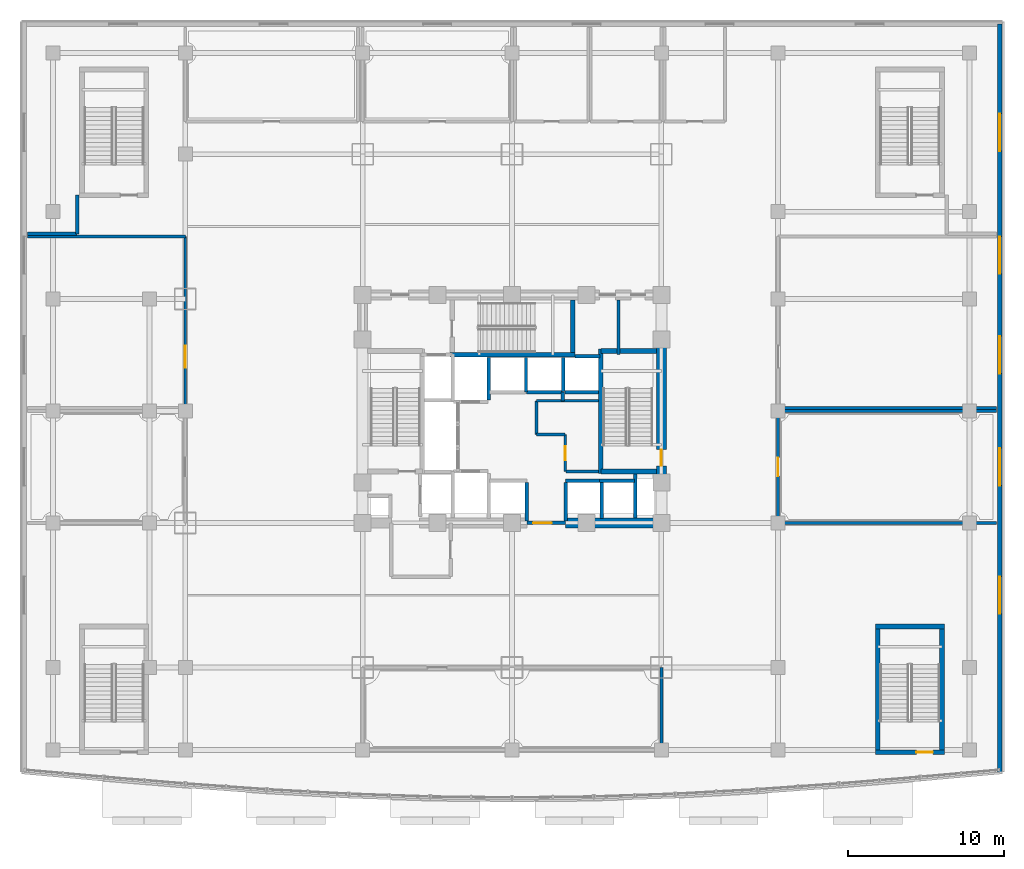
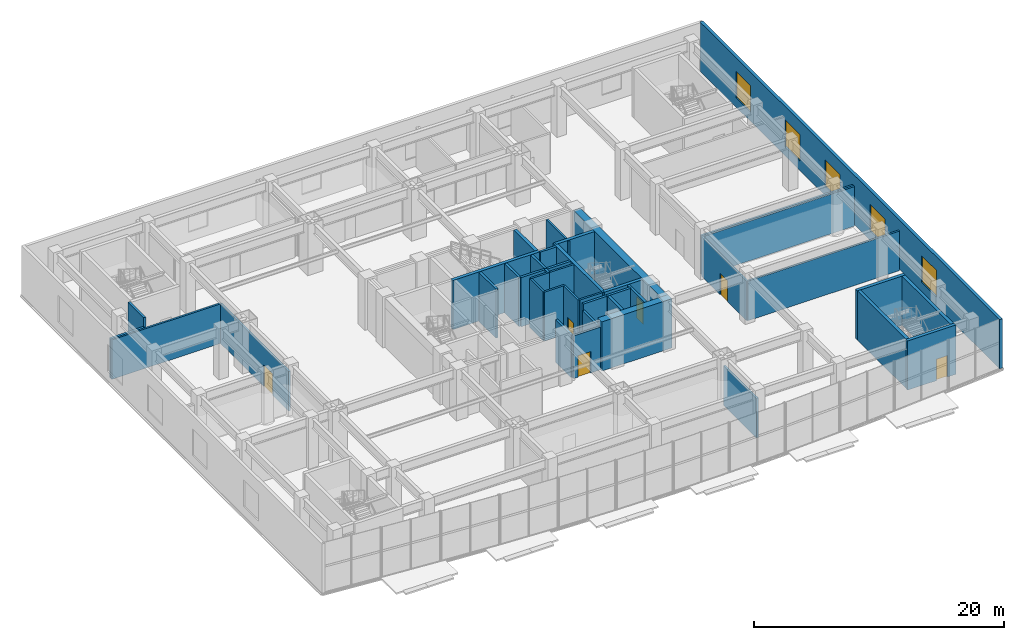
# One storey, part 13 of 24: 42 walls, 6 doors, 5 windows, 11 openings.
"""IFC4 building model written with IfcOpenShell, lengths in metres."""

from ifc_helpers import new_model, si_unit, direction, frame, frame_2d, origin, place, context, subcontext, project, spatial, rectangle, extrude, material, layer, layer_set, type_object, element, fill, save


model = new_model("IFC4")

# Units and contexts
model_context = context("Model", 3, precision=1e-05, world=origin(), true_north=direction((0.0, 1.0)))
body_context = subcontext(model_context, "Body", "Model", "MODEL_VIEW")
ifc_project = project(units=[si_unit("LENGTHUNIT", "METRE"), si_unit("AREAUNIT", "SQUARE_METRE"), si_unit("VOLUMEUNIT", "CUBIC_METRE"), si_unit("PLANEANGLEUNIT", "RADIAN"), si_unit("MASSUNIT", "GRAM", prefix="KILO")], contexts=[model_context])

# Site, building, storey
site_placement = place(None, origin())
site = spatial("IfcSite", under=ifc_project, at=site_placement, CompositionType="ELEMENT")
building_placement = place(site_placement, origin())
building = spatial("IfcBuilding", under=site, at=building_placement, Name="Vantalir Tower", CompositionType="ELEMENT")
storey_placement = place(building_placement, frame((0.0, 0.0, 6.0)))
storey = spatial("IfcBuildingStorey", under=building, at=storey_placement, Name="L01", CompositionType="ELEMENT", Elevation=6.0)

# Wall
ifc_material_1 = material(Name="Concrete C60/75", Category="concrete")
ifc_layer_1 = layer(ifc_material_1, 0.64990234375)
ifc_layer_set_1 = layer_set([ifc_layer_1], Name="Concrete C60/75")
wall_type_1 = type_object("IfcWallType", Name="WL-CORE-650", PredefinedType="SHEAR", material=ifc_layer_set_1)
wall_1_placement = place(storey_placement, frame((34.949951171875, 17.800048828125, 0.0), z_axis=(0.0, 0.0, 1.0), x_axis=(1.0, 0.0, 0.0)))
element("IfcWall", 1, at=wall_1_placement, inside=storey, type_object=wall_type_1, Name="Floor 1 Core Shear Wall South-East", PredefinedType="SHEAR", context=body_context, shape_type="SweptSolid", body=[
    extrude(rectangle(XDim=6.47509765625, YDim=0.64990234375, at=frame_2d((3.237548828125, 0.0))), origin(), (0.0, 0.0, 1.0), 4.820068359375),
])

# Wall, opening, door
wall_2_placement = place(storey_placement, frame((41.10009765625, 18.125, 0.0), z_axis=(0.0, 0.0, 1.0), x_axis=(0.0, 1.0, 0.0)))
wall_2 = element("IfcWall", 2, at=wall_2_placement, inside=storey, type_object=wall_type_1, Name="Floor 1 Core Shear Wall East", PredefinedType="SHEAR", context=body_context, shape_type="SweptSolid", body=[
    extrude(rectangle(XDim=14.0, YDim=0.64990234375, at=frame_2d((7.0, 0.0))), origin(), (0.0, 0.0, 1.0), 4.820068359375),
])
opening_1_placement = place(wall_2_placement, frame((3.3349609375, 0.0, 0.0)))
opening_1 = element("IfcOpeningElement", 3, at=opening_1_placement, cuts=wall_2, Name="Opening D-ST", PredefinedType="OPENING", context=body_context, shape_type="SweptSolid", body=[
    extrude(rectangle(XDim=1.050048828125, YDim=2.10009765625, at=frame_2d((0.52490234375, 1.050048828125))), frame((0.0, 0.3349609375, 0.0), z_axis=(0.0, -1.0, 0.0), x_axis=(1.0, 0.0, 0.0)), (0.0, 0.0, 1.0), 0.669921875),
])
ifc_material_2 = material(Name="Fire-rated steel door leaf", Category="steel")
door_type_1 = type_object("IfcDoorType", Name="DR-FIRE-STAIR-1050", OperationType="NOTDEFINED", PredefinedType="DOOR", material=ifc_material_2)
door_1_placement = place(opening_1_placement, origin())
door_1 = element("IfcDoor", 4, at=door_1_placement, inside=storey, type_object=door_type_1, Name="Floor 1 Exit Stair ST2 Fire Door", OperationType="SINGLE_SWING_LEFT", OverallHeight=2.10009765625, OverallWidth=1.050048828125, PredefinedType="DOOR", context=body_context, shape_type="SweptSolid", body=[
    extrude(rectangle(XDim=1.050048828125, YDim=2.10009765625, at=frame_2d((0.52490234375, 1.050048828125))), frame((0.0, 0.02490234375, 0.0), z_axis=(0.0, -1.0, 0.0), x_axis=(1.0, 0.0, 0.0)), (0.0, 0.0, 1.0), 0.050048828125),
])
fill(opening_1, door_1)

# Wall, openings, windows
ifc_material_3 = material(Name="Precast concrete C40/50 with insulated PVDF rainscreen", Category="concrete")
ifc_layer_2 = layer(ifc_material_3, 0.280029296875)
ifc_layer_set_2 = layer_set([ifc_layer_2], Name="Precast concrete C40/50 with insulated PVDF rainscreen")
wall_type_2 = type_object("IfcWallType", Name="WL-EXT-POD-280", PredefinedType="SOLIDWALL", material=ifc_layer_set_2)
wall_3_placement = place(storey_placement, frame((62.860107421875, 1.800048828125, 0.0), z_axis=(0.0, 0.0, 1.0), x_axis=(0.0, 1.0, 0.0)))
wall_3 = element("IfcWall", 5, at=wall_3_placement, inside=storey, type_object=wall_type_2, Name="Level 01 Podium East Precast Facade Wall", PredefinedType="SOLIDWALL", context=body_context, shape_type="SweptSolid", body=[
    extrude(rectangle(XDim=48.06005859375, YDim=0.280029296875, at=frame_2d((24.030029296875, 0.0))), origin(), (0.0, 0.0, 1.0), 4.820068359375),
])
opening_2_placement = place(wall_3_placement, frame((10.14990234375, 0.0, 0.89990234375)))
opening_2 = element("IfcOpeningElement", 6, at=opening_2_placement, cuts=wall_3, Name="Opening WN-1", PredefinedType="OPENING", context=body_context, shape_type="SweptSolid", body=[
    extrude(rectangle(XDim=2.39990234375, YDim=2.60009765625, at=frame_2d((1.199951171875, 1.300048828125))), frame((0.0, 0.14990234375, 0.0), z_axis=(0.0, -1.0, 0.0), x_axis=(1.0, 0.0, 0.0)), (0.0, 0.0, 1.0), 0.300048828125),
])
opening_3_placement = place(wall_3_placement, frame((18.39990234375, 0.0, 0.89990234375)))
opening_3 = element("IfcOpeningElement", 7, at=opening_3_placement, cuts=wall_3, Name="Opening WN-1", PredefinedType="OPENING", context=body_context, shape_type="SweptSolid", body=[
    extrude(rectangle(XDim=2.39990234375, YDim=2.60009765625, at=frame_2d((1.199951171875, 1.300048828125))), frame((0.0, 0.14990234375, 0.0), z_axis=(0.0, -1.0, 0.0), x_axis=(1.0, 0.0, 0.0)), (0.0, 0.0, 1.0), 0.300048828125),
])
opening_4_placement = place(wall_3_placement, frame((25.60009765625, 0.0, 0.89990234375)))
opening_4 = element("IfcOpeningElement", 8, at=opening_4_placement, cuts=wall_3, Name="Opening WN-1", PredefinedType="OPENING", context=body_context, shape_type="SweptSolid", body=[
    extrude(rectangle(XDim=2.39990234375, YDim=2.60009765625, at=frame_2d((1.199951171875, 1.300048828125))), frame((0.0, 0.14990234375, 0.0), z_axis=(0.0, -1.0, 0.0), x_axis=(1.0, 0.0, 0.0)), (0.0, 0.0, 1.0), 0.300048828125),
])
opening_5_placement = place(wall_3_placement, frame((32.0, 0.0, 0.89990234375)))
opening_5 = element("IfcOpeningElement", 9, at=opening_5_placement, cuts=wall_3, Name="Opening WN-1", PredefinedType="OPENING", context=body_context, shape_type="SweptSolid", body=[
    extrude(rectangle(XDim=2.39990234375, YDim=2.60009765625, at=frame_2d((1.199951171875, 1.300048828125))), frame((0.0, 0.14990234375, 0.0), z_axis=(0.0, -1.0, 0.0), x_axis=(1.0, 0.0, 0.0)), (0.0, 0.0, 1.0), 0.300048828125),
])
opening_6_placement = place(wall_3_placement, frame((39.89990234375, 0.0, 0.89990234375)))
opening_6 = element("IfcOpeningElement", 10, at=opening_6_placement, cuts=wall_3, Name="Opening WN-1", PredefinedType="OPENING", context=body_context, shape_type="SweptSolid", body=[
    extrude(rectangle(XDim=2.39990234375, YDim=2.60009765625, at=frame_2d((1.199951171875, 1.300048828125))), frame((0.0, 0.14990234375, 0.0), z_axis=(0.0, -1.0, 0.0), x_axis=(1.0, 0.0, 0.0)), (0.0, 0.0, 1.0), 0.300048828125),
])
ifc_material_4 = material(Name="Double-silver Low-E thermally broken window", Category="glass")
window_type = type_object("IfcWindowType", Name="WIN-POD-2400x2600", PartitioningType="SINGLE_PANEL", PredefinedType="WINDOW", material=ifc_material_4)
window_1_placement = place(opening_2_placement, origin())
window_1 = element("IfcWindow", 11, at=window_1_placement, inside=storey, type_object=window_type, Name="Level 01 East Podium Window E01", OverallHeight=2.60009765625, OverallWidth=2.39990234375, PartitioningType="SINGLE_PANEL", PredefinedType="WINDOW", context=body_context, shape_type="SweptSolid", body=[
    extrude(rectangle(XDim=2.39990234375, YDim=2.60009765625, at=frame_2d((1.199951171875, 1.300048828125))), frame((0.0, 0.030029296875, 0.0), z_axis=(0.0, -1.0, 0.0), x_axis=(1.0, 0.0, 0.0)), (0.0, 0.0, 1.0), 0.06005859375),
])
fill(opening_2, window_1)
window_2_placement = place(opening_3_placement, origin())
window_2 = element("IfcWindow", 12, at=window_2_placement, inside=storey, type_object=window_type, Name="Level 01 East Podium Window E02", OverallHeight=2.60009765625, OverallWidth=2.39990234375, PartitioningType="SINGLE_PANEL", PredefinedType="WINDOW", context=body_context, shape_type="SweptSolid", body=[
    extrude(rectangle(XDim=2.39990234375, YDim=2.60009765625, at=frame_2d((1.199951171875, 1.300048828125))), frame((0.0, 0.030029296875, 0.0), z_axis=(0.0, -1.0, 0.0), x_axis=(1.0, 0.0, 0.0)), (0.0, 0.0, 1.0), 0.06005859375),
])
fill(opening_3, window_2)
window_3_placement = place(opening_4_placement, origin())
window_3 = element("IfcWindow", 13, at=window_3_placement, inside=storey, type_object=window_type, Name="Level 01 East Podium Window E03", OverallHeight=2.60009765625, OverallWidth=2.39990234375, PartitioningType="SINGLE_PANEL", PredefinedType="WINDOW", context=body_context, shape_type="SweptSolid", body=[
    extrude(rectangle(XDim=2.39990234375, YDim=2.60009765625, at=frame_2d((1.199951171875, 1.300048828125))), frame((0.0, 0.030029296875, 0.0), z_axis=(0.0, -1.0, 0.0), x_axis=(1.0, 0.0, 0.0)), (0.0, 0.0, 1.0), 0.06005859375),
])
fill(opening_4, window_3)
window_4_placement = place(opening_5_placement, origin())
window_4 = element("IfcWindow", 14, at=window_4_placement, inside=storey, type_object=window_type, Name="Level 01 East Podium Window E04", OverallHeight=2.60009765625, OverallWidth=2.39990234375, PartitioningType="SINGLE_PANEL", PredefinedType="WINDOW", context=body_context, shape_type="SweptSolid", body=[
    extrude(rectangle(XDim=2.39990234375, YDim=2.60009765625, at=frame_2d((1.199951171875, 1.300048828125))), frame((0.0, 0.030029296875, 0.0), z_axis=(0.0, -1.0, 0.0), x_axis=(1.0, 0.0, 0.0)), (0.0, 0.0, 1.0), 0.06005859375),
])
fill(opening_5, window_4)
window_5_placement = place(opening_6_placement, origin())
window_5 = element("IfcWindow", 15, at=window_5_placement, inside=storey, type_object=window_type, Name="Level 01 East Podium Window E05", OverallHeight=2.60009765625, OverallWidth=2.39990234375, PartitioningType="SINGLE_PANEL", PredefinedType="WINDOW", context=body_context, shape_type="SweptSolid", body=[
    extrude(rectangle(XDim=2.39990234375, YDim=2.60009765625, at=frame_2d((1.199951171875, 1.300048828125))), frame((0.0, 0.030029296875, 0.0), z_axis=(0.0, -1.0, 0.0), x_axis=(1.0, 0.0, 0.0)), (0.0, 0.0, 1.0), 0.06005859375),
])
fill(opening_6, window_5)

# Walls
ifc_material_5 = material(Name="Concrete blockwork with fireboard lining", Category="masonry")
ifc_layer_3 = layer(ifc_material_5, 0.219970703125)
ifc_layer_set_3 = layer_set([ifc_layer_3], Name="Concrete blockwork with fireboard lining")
wall_type_3 = type_object("IfcWallType", Name="WL-FFL-220", PredefinedType="PARTITIONING", material=ifc_layer_set_3)
for number, where, z_axis, x_axis, name in (
    (16, (32.449951171875, 17.919921875, 0.0), (0.0, 0.0, 1.0), (0.0, 1.0, 0.0), "Level 01 Shuttle Lift PL-X1 East Shaft Cheek"),
    (17, (34.949951171875, 17.919921875, 0.0), (0.0, 0.0, 1.0), (0.0, 1.0, 0.0), "Level 01 Shuttle Lift PL-X3 West Shaft Cheek"),
):
    element("IfcWall", number, at=place(storey_placement, frame(where, z_axis=z_axis, x_axis=x_axis)), inside=storey, type_object=wall_type_3, Name=name, PredefinedType="PARTITIONING", context=body_context, shape_type="SweptSolid", body=[
        extrude(rectangle(XDim=2.469970703125, YDim=0.219970703125, at=frame_2d((1.23486328125, 0.0))), origin(), (0.0, 0.0, 1.0), 4.177978515625),
    ])
wall_4_placement = place(storey_placement, frame((37.27490234375, 18.080078125, 0.0), z_axis=(0.0, 0.0, 1.0), x_axis=(0.0, 1.0, 0.0)))
element("IfcWall", 18, at=wall_4_placement, inside=storey, type_object=wall_type_3, Name="Level 01 Shuttle Lift PL-X2/X3 Shaft Divider", PredefinedType="PARTITIONING", context=body_context, shape_type="SweptSolid", body=[
    extrude(rectangle(XDim=2.309814453125, YDim=0.219970703125, at=frame_2d((1.15478515625, 0.0))), origin(), (0.0, 0.0, 1.0), 4.794921875),
])
wall_5_placement = place(storey_placement, frame((30.0, 25.7099609375, 0.0), z_axis=(0.0, 0.0, 1.0), x_axis=(0.0, 1.0, 0.0)))
element("IfcWall", 19, at=wall_5_placement, inside=storey, type_object=wall_type_3, Name="Level 01 Service Lift SV2 East Shaft Wall", PredefinedType="PARTITIONING", context=body_context, shape_type="SweptSolid", body=[
    extrude(rectangle(XDim=2.72998046875, YDim=0.219970703125, at=frame_2d((1.364990234375, 0.0))), origin(), (0.0, 0.0, 1.0), 4.794921875),
])
wall_6_placement = place(storey_placement, frame((32.39990234375, 26.199951171875, 0.0), z_axis=(0.0, 0.0, 1.0), x_axis=(0.0, 1.0, 0.0)))
element("IfcWall", 20, at=wall_6_placement, inside=storey, type_object=wall_type_3, Name="Level 01 High-Rise Lift PL-H1/H2 Shaft Divider", PredefinedType="PARTITIONING", context=body_context, shape_type="SweptSolid", body=[
    extrude(rectangle(XDim=2.239990234375, YDim=0.219970703125, at=frame_2d((1.1201171875, 0.0))), origin(), (0.0, 0.0, 1.0), 4.794921875),
])
wall_7_placement = place(storey_placement, frame((34.800048828125, 26.22998046875, 0.0), z_axis=(0.0, 0.0, 1.0), x_axis=(0.0, 1.0, 0.0)))
element("IfcWall", 21, at=wall_7_placement, inside=storey, type_object=wall_type_3, Name="Level 01 High-Rise Lift PL-H2/H3 Shaft Divider", PredefinedType="PARTITIONING", context=body_context, shape_type="SweptSolid", body=[
    extrude(rectangle(XDim=2.2099609375, YDim=0.219970703125, at=frame_2d((1.10498046875, 0.0))), origin(), (0.0, 0.0, 1.0), 4.794921875),
])
wall_8_placement = place(storey_placement, frame((34.909912109375, 26.18994140625, 0.0), z_axis=(0.0, 0.0, 1.0), x_axis=(1.0, 0.0, 0.0)))
element("IfcWall", 22, at=wall_8_placement, inside=storey, type_object=wall_type_3, Name="Level 01 High-Rise Lift PL-H3 Rear Shaft Wall", PredefinedType="PARTITIONING", context=body_context, shape_type="SweptSolid", body=[
    extrude(rectangle(XDim=2.14013671875, YDim=0.219970703125, at=frame_2d((1.070068359375, 0.0))), origin(), (0.0, 0.0, 1.0), 4.794921875),
])

# Wall, opening, door
wall_9_placement = place(storey_placement, frame((32.449951171875, 17.800048828125, 0.0), z_axis=(0.0, 0.0, 1.0), x_axis=(1.0, 0.0, 0.0)))
wall_9 = element("IfcWall", 23, at=wall_9_placement, inside=storey, type_object=wall_type_3, Name="Floor 1 Passenger Lift Lobby South Wall", PredefinedType="PARTITIONING", context=body_context, shape_type="SweptSolid", body=[
    extrude(rectangle(XDim=2.5, YDim=0.219970703125, at=frame_2d((1.25, 0.0))), origin(), (0.0, 0.0, 1.0), 4.177978515625),
])
opening_7_placement = place(wall_9_placement, frame((0.39990234375, 0.0, 0.0)))
opening_7 = element("IfcOpeningElement", 24, at=opening_7_placement, cuts=wall_9, Name="Opening D-STE", PredefinedType="OPENING", context=body_context, shape_type="SweptSolid", body=[
    extrude(rectangle(XDim=1.199951171875, YDim=2.10009765625, at=frame_2d((0.60009765625, 1.050048828125))), frame((0.0, 0.119873046875, 0.0), z_axis=(0.0, -1.0, 0.0), x_axis=(1.0, 0.0, 0.0)), (0.0, 0.0, 1.0), 0.239990234375),
])
ifc_material_6 = material(Name="Solid-core teak veneer suite entrance door", Category="wood")
door_type_2 = type_object("IfcDoorType", Name="DR-SUITE-ENTRY-1200", OperationType="NOTDEFINED", PredefinedType="DOOR", material=ifc_material_6)
door_2_placement = place(opening_7_placement, origin())
door_2 = element("IfcDoor", 25, at=door_2_placement, inside=storey, type_object=door_type_2, Name="Floor 1 Passenger Lift Lobby Concourse Door", OperationType="SINGLE_SWING_RIGHT", OverallHeight=2.10009765625, OverallWidth=1.199951171875, PredefinedType="DOOR", context=body_context, shape_type="SweptSolid", body=[
    extrude(rectangle(XDim=1.199951171875, YDim=2.10009765625, at=frame_2d((0.60009765625, 1.050048828125))), frame((0.0, 0.02490234375, 0.0), z_axis=(0.0, -1.0, 0.0), x_axis=(1.0, 0.0, 0.0)), (0.0, 0.0, 1.0), 0.050048828125),
])
fill(opening_7, door_2)

# Walls
wall_10_placement = place(storey_placement, frame((39.419921875, 18.125, 0.0), z_axis=(0.0, 0.0, 1.0), x_axis=(0.0, 1.0, 0.0)))
element("IfcWall", 26, at=wall_10_placement, inside=storey, type_object=wall_type_3, Name="Floor 1 East MEP Riser Wall W", PredefinedType="PARTITIONING", context=body_context, shape_type="SweptSolid", body=[
    extrude(rectangle(XDim=2.824951171875, YDim=0.219970703125, at=frame_2d((1.41259765625, 0.0))), origin(), (0.0, 0.0, 1.0), 4.800048828125),
])
for number, where, z_axis, x_axis, name in (
    (27, (37.139892578125, 20.510009765625, 0.0), (0.0, 0.0, 1.0), (1.0, 0.0, 0.0), "Floor 1 Lift PL-X2 Shaft Rear Wall"),
    (28, (34.93994140625, 20.510009765625, 0.0), (0.0, 0.0, 1.0), (1.0, 0.0, 0.0), "Floor 1 Lift PL-X3 Shaft Front Wall"),
):
    element("IfcWall", number, at=place(storey_placement, frame(where, z_axis=z_axis, x_axis=x_axis)), inside=storey, type_object=wall_type_3, Name=name, PredefinedType="PARTITIONING", context=body_context, shape_type="SweptSolid", body=[
        extrude(rectangle(XDim=2.239990234375, YDim=0.219970703125, at=frame_2d((1.1201171875, 0.0))), origin(), (0.0, 0.0, 1.0), 4.800048828125),
    ])
wall_11_placement = place(storey_placement, frame((32.43994140625, 26.18994140625, 0.0), z_axis=(0.0, 0.0, 1.0), x_axis=(1.0, 0.0, 0.0)))
element("IfcWall", 29, at=wall_11_placement, inside=storey, type_object=wall_type_3, Name="Floor 1 Lift PL-H2 Shaft Front Wall", PredefinedType="PARTITIONING", context=body_context, shape_type="SweptSolid", body=[
    extrude(rectangle(XDim=2.320068359375, YDim=0.219970703125, at=frame_2d((1.16015625, 0.0))), origin(), (0.0, 0.0, 1.0), 4.800048828125),
])
wall_12_placement = place(storey_placement, frame((35.56005859375, 28.510009765625, 0.0), z_axis=(0.0, 0.0, 1.0), x_axis=(1.0, 0.0, 0.0)))
element("IfcWall", 30, at=wall_12_placement, inside=storey, type_object=wall_type_3, Name="Floor 1 Lift PL-H3 Shaft Front Wall", PredefinedType="PARTITIONING", context=body_context, shape_type="SweptSolid", body=[
    extrude(rectangle(XDim=1.599853515625, YDim=0.219970703125, at=frame_2d((0.7998046875, 0.0))), origin(), (0.0, 0.0, 1.0), 4.800048828125),
])
wall_13_placement = place(storey_placement, frame((34.760009765625, 25.64990234375, 0.0), z_axis=(0.0, 0.0, 1.0), x_axis=(0.0, 1.0, 0.0)))
element("IfcWall", 31, at=wall_13_placement, inside=storey, type_object=wall_type_3, Name="Floor 1 High-Rise Shaft Shoulder Wall", PredefinedType="PARTITIONING", context=body_context, shape_type="SweptSolid", body=[
    extrude(rectangle(XDim=0.570068359375, YDim=0.219970703125, at=frame_2d((0.28515625, 0.0))), origin(), (0.0, 0.0, 1.0), 4.800048828125),
])
wall_14_placement = place(storey_placement, frame((0.35009765625, 36.3798828125, 0.0), z_axis=(0.0, 0.0, 1.0), x_axis=(1.0, 0.0, 0.0)))
element("IfcWall", 32, at=wall_14_placement, inside=storey, type_object=wall_type_3, Name="Floor 1 North-West Service Riser South Wall", PredefinedType="PARTITIONING", context=body_context, shape_type="SweptSolid", body=[
    extrude(rectangle(XDim=3.199951171875, YDim=0.219970703125, at=frame_2d((1.60009765625, 0.0))), origin(), (0.0, 0.0, 1.0), 3.867919921875),
])
wall_15_placement = place(storey_placement, frame((3.550048828125, 36.3798828125, 0.0), z_axis=(0.0, 0.0, 1.0), x_axis=(0.0, 1.0, 0.0)))
element("IfcWall", 33, at=wall_15_placement, inside=storey, type_object=wall_type_3, Name="Floor 1 North-West Service Riser East Wall", PredefinedType="PARTITIONING", context=body_context, shape_type="SweptSolid", body=[
    extrude(rectangle(XDim=2.480224609375, YDim=0.219970703125, at=frame_2d((1.240234375, 0.0))), origin(), (0.0, 0.0, 1.0), 4.800048828125),
])
ifc_material_7 = material(Name="Twin-stud acoustic fire-rated gypsum partition", Category="gypsum")
ifc_layer_4 = layer(ifc_material_7, 0.179931640625)
ifc_layer_set_4 = layer_set([ifc_layer_4], Name="Twin-stud acoustic fire-rated gypsum partition")
wall_type_4 = type_object("IfcWallType", Name="WL-GUEST-180", PredefinedType="PARTITIONING", material=ifc_layer_set_4)
wall_16_placement = place(storey_placement, frame((34.97998046875, 21.10009765625, 0.0), z_axis=(0.0, 0.0, 1.0), x_axis=(1.0, 0.0, 0.0)))
element("IfcWall", 34, at=wall_16_placement, inside=storey, type_object=wall_type_4, Name="Floor 1 Freed East Core South Wall", PredefinedType="PARTITIONING", context=body_context, shape_type="SweptSolid", body=[
    extrude(rectangle(XDim=2.080078125, YDim=0.179931640625, at=frame_2d((1.0400390625, 0.0))), origin(), (0.0, 0.0, 1.0), 4.800048828125),
])
wall_17_placement = place(storey_placement, frame((34.719970703125, 25.64990234375, 0.0), z_axis=(0.0, 0.0, 1.0), x_axis=(1.0, 0.0, 0.0)))
element("IfcWall", 35, at=wall_17_placement, inside=storey, type_object=wall_type_4, Name="Floor 1 Freed East Core North Wall", PredefinedType="PARTITIONING", context=body_context, shape_type="SweptSolid", body=[
    extrude(rectangle(XDim=2.340087890625, YDim=0.179931640625, at=frame_2d((1.169921875, 0.0))), origin(), (0.0, 0.0, 1.0), 4.800048828125),
])
wall_18_placement = place(storey_placement, frame((33.080078125, 25.64990234375, 0.0), z_axis=(0.0, 0.0, 1.0), x_axis=(1.0, 0.0, 0.0)))
element("IfcWall", 36, at=wall_18_placement, inside=storey, type_object=wall_type_4, Name="Floor 1 East Core Alcove North Wall", PredefinedType="PARTITIONING", context=body_context, shape_type="SweptSolid", body=[
    extrude(rectangle(XDim=1.679931640625, YDim=0.179931640625, at=frame_2d((0.83984375, 0.0))), origin(), (0.0, 0.0, 1.0), 4.800048828125),
])
wall_19_placement = place(storey_placement, frame((33.080078125, 23.47998046875, 0.0), z_axis=(0.0, 0.0, 1.0), x_axis=(0.0, 1.0, 0.0)))
element("IfcWall", 37, at=wall_19_placement, inside=storey, type_object=wall_type_4, Name="Floor 1 East Core Alcove West Wall", PredefinedType="PARTITIONING", context=body_context, shape_type="SweptSolid", body=[
    extrude(rectangle(XDim=2.169921875, YDim=0.179931640625, at=frame_2d((1.0849609375, 0.0))), origin(), (0.0, 0.0, 1.0), 4.800048828125),
])
wall_20_placement = place(storey_placement, frame((33.080078125, 23.47998046875, 0.0), z_axis=(0.0, 0.0, 1.0), x_axis=(1.0, 0.0, 0.0)))
element("IfcWall", 38, at=wall_20_placement, inside=storey, type_object=wall_type_4, Name="Floor 1 East Core Alcove South Wall", PredefinedType="PARTITIONING", context=body_context, shape_type="SweptSolid", body=[
    extrude(rectangle(XDim=1.83984375, YDim=0.179931640625, at=frame_2d((0.919921875, 0.0))), origin(), (0.0, 0.0, 1.0), 4.800048828125),
])

# Wall, opening, door
wall_21_placement = place(storey_placement, frame((34.919921875, 21.10009765625, 0.0), z_axis=(0.0, 0.0, 1.0), x_axis=(0.0, 1.0, 0.0)))
wall_21 = element("IfcWall", 39, at=wall_21_placement, inside=storey, type_object=wall_type_4, Name="Floor 1 East Core Lower West Wall", PredefinedType="PARTITIONING", context=body_context, shape_type="SweptSolid", body=[
    extrude(rectangle(XDim=2.3798828125, YDim=0.179931640625, at=frame_2d((1.18994140625, 0.0))), origin(), (0.0, 0.0, 1.0), 4.800048828125),
])
opening_8_placement = place(wall_21_placement, frame((0.739990234375, 0.0, 0.0)))
opening_8 = element("IfcOpeningElement", 40, at=opening_8_placement, cuts=wall_21, Name="Opening D-CR", PredefinedType="OPENING", context=body_context, shape_type="SweptSolid", body=[
    extrude(rectangle(XDim=0.89990234375, YDim=2.10009765625, at=frame_2d((0.449951171875, 1.050048828125))), frame((0.0, 0.099853515625, 0.0), z_axis=(0.0, -1.0, 0.0), x_axis=(1.0, 0.0, 0.0)), (0.0, 0.0, 1.0), 0.199951171875),
])
ifc_material_8 = material(Name="Fire-rated steel core service door", Category="steel")
door_type_3 = type_object("IfcDoorType", Name="DR-CORE-SERV-900", OperationType="NOTDEFINED", PredefinedType="DOOR", material=ifc_material_8)
door_3_placement = place(opening_8_placement, frame((0.89990234375, 0.0, 0.0), z_axis=(0.0, 0.0, 1.0), x_axis=(-1.0, 0.0, 0.0)))
door_3 = element("IfcDoor", 41, at=door_3_placement, inside=storey, type_object=door_type_3, Name="Floor 1 Core Telecoms Door", OperationType="SINGLE_SWING_LEFT", OverallHeight=2.10009765625, OverallWidth=0.89990234375, PredefinedType="DOOR", context=body_context, shape_type="SweptSolid", body=[
    extrude(rectangle(XDim=0.89990234375, YDim=2.10009765625, at=frame_2d((0.449951171875, 1.050048828125))), frame((0.0, 0.02490234375, 0.0), z_axis=(0.0, -1.0, 0.0), x_axis=(1.0, 0.0, 0.0)), (0.0, 0.0, 1.0), 0.050048828125),
])
fill(opening_8, door_3)

# Walls
wall_22_placement = place(storey_placement, frame((38.340087890625, 28.6201171875, 0.0), z_axis=(0.0, 0.0, 1.0), x_axis=(0.0, 1.0, 0.0)))
element("IfcWall", 42, at=wall_22_placement, inside=storey, type_object=wall_type_4, Name="Floor 1 High-Rise Lift Lobby East Wall", PredefinedType="PARTITIONING", context=body_context, shape_type="SweptSolid", body=[
    extrude(rectangle(XDim=3.5048828125, YDim=0.179931640625, at=frame_2d((1.75244140625, 0.0))), origin(), (0.0, 0.0, 1.0), 4.800048828125),
])
wall_23_placement = place(storey_placement, frame((0.35009765625, 36.199951171875, 0.0), z_axis=(0.0, 0.0, 1.0), x_axis=(1.0, 0.0, 0.0)))
element("IfcWall", 43, at=wall_23_placement, inside=storey, type_object=wall_type_4, Name="Floor 1 Commercial Finishing Kitchen North Wall", PredefinedType="PARTITIONING", context=body_context, shape_type="SweptSolid", body=[
    extrude(rectangle(XDim=10.14990234375, YDim=0.179931640625, at=frame_2d((5.074951171875, 0.0))), origin(), (0.0, 0.0, 1.0), 3.867919921875),
])

# Wall, opening, door
wall_24_placement = place(storey_placement, frame((10.5, 25.179931640625, 0.0), z_axis=(0.0, 0.0, 1.0), x_axis=(0.0, 1.0, 0.0)))
wall_24 = element("IfcWall", 44, at=wall_24_placement, inside=storey, type_object=wall_type_4, Name="Floor 1 Commercial Finishing Kitchen East Wall", PredefinedType="PARTITIONING", context=body_context, shape_type="SweptSolid", body=[
    extrude(rectangle(XDim=11.02001953125, YDim=0.179931640625, at=frame_2d((5.510009765625, 0.0))), origin(), (0.0, 0.0, 1.0), 3.867919921875),
])
opening_9_placement = place(wall_24_placement, frame((2.60595703125, 0.0, 0.0)))
opening_9 = element("IfcOpeningElement", 45, at=opening_9_placement, cuts=wall_24, Name="Opening D-PLANT", PredefinedType="OPENING", context=body_context, shape_type="SweptSolid", body=[
    extrude(rectangle(XDim=1.39990234375, YDim=2.10009765625, at=frame_2d((0.699951171875, 1.050048828125))), frame((0.0, 0.099853515625, 0.0), z_axis=(0.0, -1.0, 0.0), x_axis=(1.0, 0.0, 0.0)), (0.0, 0.0, 1.0), 0.199951171875),
])
ifc_material_9 = material(Name="Louvred fire-rated steel plant double door", Category="steel")
door_type_4 = type_object("IfcDoorType", Name="DR-PLANT-1400", OperationType="DOUBLE_DOOR_SINGLE_SWING", PredefinedType="DOOR", material=ifc_material_9)
door_4_placement = place(opening_9_placement, origin())
door_4 = element("IfcDoor", 46, at=door_4_placement, inside=storey, type_object=door_type_4, Name="Floor 1 Commercial Finishing Kitchen Door", OperationType="DOUBLE_DOOR_SINGLE_SWING", OverallHeight=2.10009765625, OverallWidth=1.39990234375, PredefinedType="DOOR", context=body_context, shape_type="SweptSolid", body=[
    extrude(rectangle(XDim=1.39990234375, YDim=2.10009765625, at=frame_2d((0.699951171875, 1.050048828125))), frame((0.0, 0.02490234375, 0.0), z_axis=(0.0, -1.0, 0.0), x_axis=(1.0, 0.0, 0.0)), (0.0, 0.0, 1.0), 0.050048828125),
])
fill(opening_9, door_4)

# Walls
for number, where, z_axis, x_axis, name in (
    (47, (48.60009765625, 17.800048828125, 0.0), (0.0, 0.0, 1.0), (1.0, 0.0, 0.0), "Floor 1 Harbour Seafood Dining Room South Wall"),
    (48, (48.60009765625, 25.0, 0.0), (0.0, 0.0, 1.0), (1.0, 0.0, 0.0), "Floor 1 Harbour Seafood Dining Room North Wall"),
):
    element("IfcWall", number, at=place(storey_placement, frame(where, z_axis=z_axis, x_axis=x_axis)), inside=storey, type_object=wall_type_4, Name=name, PredefinedType="PARTITIONING", context=body_context, shape_type="SweptSolid", body=[
        extrude(rectangle(XDim=14.0498046875, YDim=0.179931640625, at=frame_2d((7.02490234375, 0.0))), origin(), (0.0, 0.0, 1.0), 3.867919921875),
    ])

# Wall, opening, door
wall_25_placement = place(storey_placement, frame((48.60009765625, 17.800048828125, 0.0), z_axis=(0.0, 0.0, 1.0), x_axis=(0.0, 1.0, 0.0)))
wall_25 = element("IfcWall", 49, at=wall_25_placement, inside=storey, type_object=wall_type_4, Name="Floor 1 Harbour Seafood Dining Room West Wall", PredefinedType="PARTITIONING", context=body_context, shape_type="SweptSolid", body=[
    extrude(rectangle(XDim=7.199951171875, YDim=0.179931640625, at=frame_2d((3.60009765625, 0.0))), origin(), (0.0, 0.0, 1.0), 3.867919921875),
])
opening_10_placement = place(wall_25_placement, frame((3.0, 0.0, 0.0)))
opening_10 = element("IfcOpeningElement", 50, at=opening_10_placement, cuts=wall_25, Name="Opening D-STE", PredefinedType="OPENING", context=body_context, shape_type="SweptSolid", body=[
    extrude(rectangle(XDim=1.199951171875, YDim=2.10009765625, at=frame_2d((0.60009765625, 1.050048828125))), frame((0.0, 0.099853515625, 0.0), z_axis=(0.0, -1.0, 0.0), x_axis=(1.0, 0.0, 0.0)), (0.0, 0.0, 1.0), 0.199951171875),
])
door_5_placement = place(opening_10_placement, frame((1.199951171875, 0.0, 0.0), z_axis=(0.0, 0.0, 1.0), x_axis=(-1.0, 0.0, 0.0)))
door_5 = element("IfcDoor", 51, at=door_5_placement, inside=storey, type_object=door_type_2, Name="Floor 1 Harbour Seafood Dining Room Door", OperationType="SINGLE_SWING_LEFT", OverallHeight=2.10009765625, OverallWidth=1.199951171875, PredefinedType="DOOR", context=body_context, shape_type="SweptSolid", body=[
    extrude(rectangle(XDim=1.199951171875, YDim=2.10009765625, at=frame_2d((0.60009765625, 1.050048828125))), frame((0.0, 0.02490234375, 0.0), z_axis=(0.0, -1.0, 0.0), x_axis=(1.0, 0.0, 0.0)), (0.0, 0.0, 1.0), 0.050048828125),
])
fill(opening_10, door_5)

# Walls
wall_26_placement = place(storey_placement, frame((48.60009765625, 25.179931640625, 0.0), z_axis=(0.0, 0.0, 1.0), x_axis=(1.0, 0.0, 0.0)))
element("IfcWall", 52, at=wall_26_placement, inside=storey, type_object=wall_type_4, Name="Floor 1 Culinary Dry Goods and Tableware Store South Wall", PredefinedType="PARTITIONING", context=body_context, shape_type="SweptSolid", body=[
    extrude(rectangle(XDim=14.0498046875, YDim=0.179931640625, at=frame_2d((7.02490234375, 0.0))), origin(), (0.0, 0.0, 1.0), 3.867919921875),
])
wall_27_placement = place(storey_placement, frame((41.10009765625, 3.199951171875, 0.0), z_axis=(0.0, 0.0, 1.0), x_axis=(0.0, 1.0, 0.0)))
element("IfcWall", 53, at=wall_27_placement, inside=storey, type_object=wall_type_4, Name="Floor 1 Observation Pre-Show Exhibition Gallery East Wall", PredefinedType="PARTITIONING", context=body_context, shape_type="SweptSolid", body=[
    extrude(rectangle(XDim=5.300048828125, YDim=0.179931640625, at=frame_2d((2.64990234375, 0.0))), origin(), (0.0, 0.0, 1.0), 3.867919921875),
])
ifc_material_10 = material(Name="Concrete C50/60", Category="concrete")
ifc_layer_5 = layer(ifc_material_10, 0.300048828125)
ifc_layer_set_5 = layer_set([ifc_layer_5], Name="Concrete C50/60")
wall_type_5 = type_object("IfcWallType", Name="WL-STAIR-300", PredefinedType="SHEAR", material=ifc_layer_set_5)
for number, where, z_axis, x_axis, name in (
    (54, (37.2099609375, 21.10009765625, 0.0), (0.0, 0.0, 1.0), (1.0, 0.0, 0.0), "Floor 1 Stair ST2 South Wall"),
    (55, (37.2099609375, 28.85009765625, 0.0), (0.0, 0.0, 1.0), (1.0, 0.0, 0.0), "Floor 1 Stair ST2 North Wall"),
):
    element("IfcWall", number, at=place(storey_placement, frame(where, z_axis=z_axis, x_axis=x_axis)), inside=storey, type_object=wall_type_5, Name=name, PredefinedType="SHEAR", context=body_context, shape_type="SweptSolid", body=[
        extrude(rectangle(XDim=3.56494140625, YDim=0.300048828125, at=frame_2d((1.782470703125, 0.0))), origin(), (0.0, 0.0, 1.0), 4.820068359375),
    ])
wall_28_placement = place(storey_placement, frame((37.2099609375, 20.97998046875, 0.0), z_axis=(0.0, 0.0, 1.0), x_axis=(0.0, 1.0, 0.0)))
element("IfcWall", 56, at=wall_28_placement, inside=storey, type_object=wall_type_5, Name="Floor 1 Stair ST2 West Wall", PredefinedType="SHEAR", context=body_context, shape_type="SweptSolid", body=[
    extrude(rectangle(XDim=7.989990234375, YDim=0.300048828125, at=frame_2d((3.9951171875, 0.0))), origin(), (0.0, 0.0, 1.0), 4.820068359375),
])
wall_29_placement = place(storey_placement, frame((27.510009765625, 28.60009765625, 0.0), z_axis=(0.0, 0.0, 1.0), x_axis=(1.0, 0.0, 0.0)))
element("IfcWall", 57, at=wall_29_placement, inside=storey, type_object=wall_type_5, Name="Floor 1 Stair ST3 South Wall", PredefinedType="SHEAR", context=body_context, shape_type="SweptSolid", body=[
    extrude(rectangle(XDim=8.030029296875, YDim=0.300048828125, at=frame_2d((4.01513671875, 0.0))), origin(), (0.0, 0.0, 1.0), 4.820068359375),
])
wall_30_placement = place(storey_placement, frame((35.39990234375, 28.75, 0.0), z_axis=(0.0, 0.0, 1.0), x_axis=(0.0, 1.0, 0.0)))
element("IfcWall", 58, at=wall_30_placement, inside=storey, type_object=wall_type_5, Name="Floor 1 Stair ST3 East Wall", PredefinedType="SHEAR", context=body_context, shape_type="SweptSolid", body=[
    extrude(rectangle(XDim=3.375, YDim=0.300048828125, at=frame_2d((1.6875, 0.0))), origin(), (0.0, 0.0, 1.0), 4.820068359375),
])

# Wall, opening, door
wall_31_placement = place(storey_placement, frame((54.85009765625, 3.06005859375, 0.0), z_axis=(0.0, 0.0, 1.0), x_axis=(1.0, 0.0, 0.0)))
wall_31 = element("IfcWall", 59, at=wall_31_placement, inside=storey, type_object=wall_type_5, Name="Floor 1 PST4 South Wall", PredefinedType="SHEAR", context=body_context, shape_type="SweptSolid", body=[
    extrude(rectangle(XDim=4.449951171875, YDim=0.300048828125, at=frame_2d((2.22509765625, 0.0))), origin(), (0.0, 0.0, 1.0), 4.820068359375),
])
opening_11_placement = place(wall_31_placement, frame((2.64990234375, 0.0, 0.0)))
opening_11 = element("IfcOpeningElement", 60, at=opening_11_placement, cuts=wall_31, Name="Opening D-ST", PredefinedType="OPENING", context=body_context, shape_type="SweptSolid", body=[
    extrude(rectangle(XDim=1.050048828125, YDim=2.10009765625, at=frame_2d((0.52490234375, 1.050048828125))), frame((0.0, 0.159912109375, 0.0), z_axis=(0.0, -1.0, 0.0), x_axis=(1.0, 0.0, 0.0)), (0.0, 0.0, 1.0), 0.320068359375),
])
door_6_placement = place(opening_11_placement, origin())
door_6 = element("IfcDoor", 61, at=door_6_placement, inside=storey, type_object=door_type_1, Name="Floor 1 Podium Stair PST4 Fire Door", OperationType="SINGLE_SWING_LEFT", OverallHeight=2.10009765625, OverallWidth=1.050048828125, PredefinedType="DOOR", context=body_context, shape_type="SweptSolid", body=[
    extrude(rectangle(XDim=1.050048828125, YDim=2.10009765625, at=frame_2d((0.52490234375, 1.050048828125))), frame((0.0, 0.02490234375, 0.0), z_axis=(0.0, -1.0, 0.0), x_axis=(1.0, 0.0, 0.0)), (0.0, 0.0, 1.0), 0.050048828125),
])
fill(opening_11, door_6)

# Walls
wall_32_placement = place(storey_placement, frame((54.85009765625, 11.139892578125, 0.0), z_axis=(0.0, 0.0, 1.0), x_axis=(1.0, 0.0, 0.0)))
element("IfcWall", 62, at=wall_32_placement, inside=storey, type_object=wall_type_5, Name="Floor 1 PST4 North Wall", PredefinedType="SHEAR", context=body_context, shape_type="SweptSolid", body=[
    extrude(rectangle(XDim=4.449951171875, YDim=0.300048828125, at=frame_2d((2.22509765625, 0.0))), origin(), (0.0, 0.0, 1.0), 4.820068359375),
])
for number, where, z_axis, x_axis, name in (
    (63, (55.010009765625, 3.06005859375, 0.0), (0.0, 0.0, 1.0), (0.0, 1.0, 0.0), "Floor 1 PST4 West Wall"),
    (64, (59.139892578125, 3.06005859375, 0.0), (0.0, 0.0, 1.0), (0.0, 1.0, 0.0), "Floor 1 PST4 East Wall"),
):
    element("IfcWall", number, at=place(storey_placement, frame(where, z_axis=z_axis, x_axis=x_axis)), inside=storey, type_object=wall_type_5, Name=name, PredefinedType="SHEAR", context=body_context, shape_type="SweptSolid", body=[
        extrude(rectangle(XDim=8.079833984375, YDim=0.300048828125, at=frame_2d((4.0400390625, 0.0))), origin(), (0.0, 0.0, 1.0), 4.820068359375),
    ])

save(model, "model.ifc")
